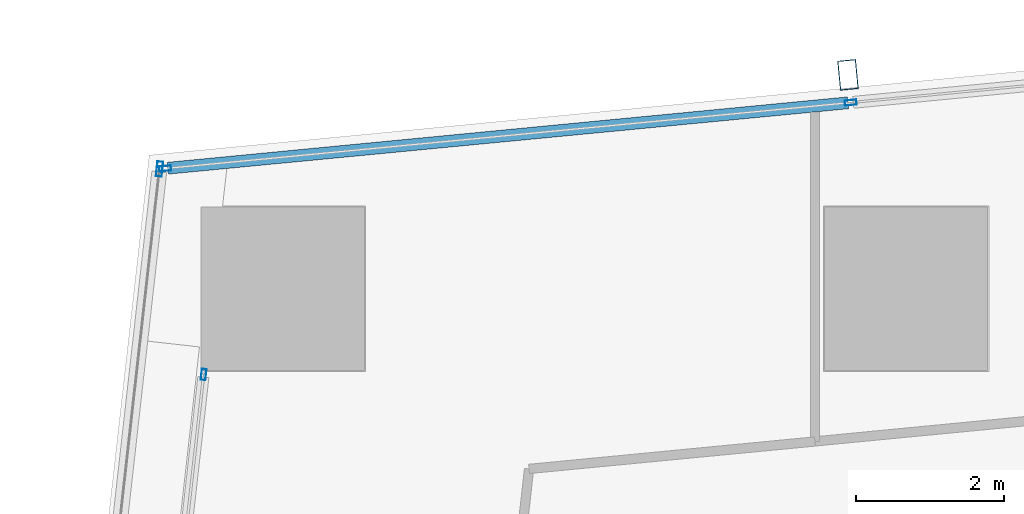
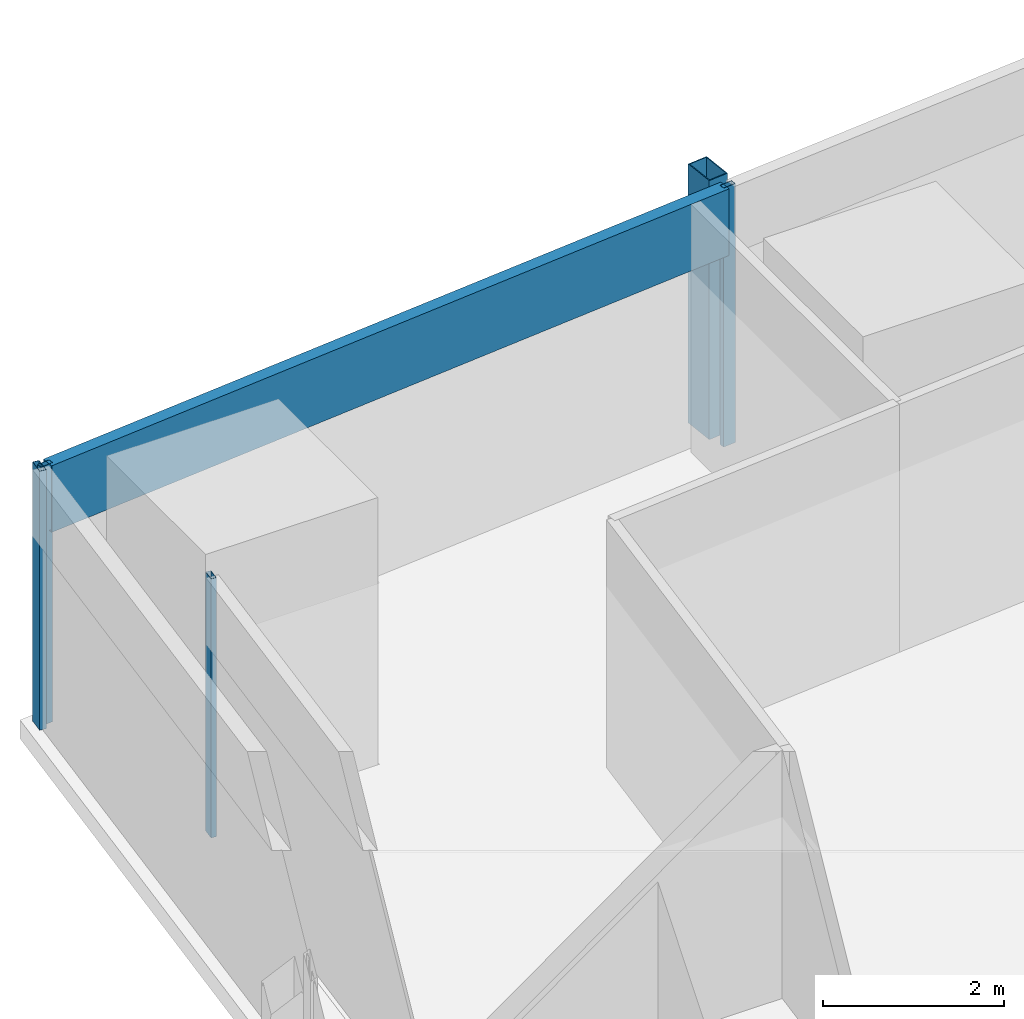
# One storey, part 16 of 45: 6 members, 3 elements without a shape of their own.
"""IFC4 building model written with IfcOpenShell, lengths in metres."""

from ifc_helpers import new_model, si_unit, direction, frame, origin, origin_2d, place, context, subcontext, project, spatial, hollow_rectangle, extrude, material, material_profile, profile_set, type_object, element, aggregate, save


model = new_model("IFC4")

# Units and contexts
model_context = context("Model", 3, precision=1e-05, world=origin(), true_north=direction((0.0, 1.0)))
body_context = subcontext(model_context, "Body", "Model", "MODEL_VIEW")
ifc_project = project(units=[si_unit("LENGTHUNIT", "METRE"), si_unit("AREAUNIT", "SQUARE_METRE"), si_unit("VOLUMEUNIT", "CUBIC_METRE"), si_unit("PLANEANGLEUNIT", "RADIAN"), si_unit("MASSUNIT", "GRAM", prefix="KILO")], contexts=[model_context])

# Site, building, storey
site_placement = place(None, origin())
site = spatial("IfcSite", under=ifc_project, at=site_placement, CompositionType="ELEMENT")
building_placement = place(site_placement, origin())
building = spatial("IfcBuilding", under=site, at=building_placement, Name="Rekha Terrace Tower", CompositionType="ELEMENT")
storey_placement = place(building_placement, frame((0.0, 0.0, 36.64990234375)))
storey = spatial("IfcBuildingStorey", under=building, at=storey_placement, Name="L08", CompositionType="ELEMENT", Elevation=36.64990234375)

# Curtain wall, member
ifc_material_1 = material(Name="Aluminium framing", Category="aluminium")
curtain_wall_type_1 = type_object("IfcCurtainWallType", Name="CW3 north unitised glazing", PredefinedType="USERDEFINED", material=ifc_material_1)
curtain_wall_1_placement = place(storey_placement, origin())
curtain_wall_1 = element("IfcCurtainWall", 1, at=curtain_wall_1_placement, inside=storey, type_object=curtain_wall_type_1, Name="CW3 unitised curtain wall", ObjectType="UNITISED CURTAIN WALL", PredefinedType="USERDEFINED")
ifc_material_2 = material(Name="Steel S355 with fluorocarbon finish", Category="steel")
ifc_material_profile_1 = material_profile(ifc_material_2, hollow_rectangle(XDim=0.25, YDim=0.39990234375, WallThickness=0.012451171875, at=origin_2d()), Name="RHS400x250x12.5")
ifc_profile_set_1 = profile_set([ifc_material_profile_1], Name="Steel S355 with fluorocarbon finish")
member_type_1 = type_object("IfcMemberType", Name="BL1 facade blade RHS 400 x 250", PredefinedType="USERDEFINED", material=ifc_profile_set_1)
member_1_placement = place(storey_placement, frame((16.01708984375, 61.681396484375, 0.0), z_axis=(0.0, 0.0, 1.0), x_axis=(-0.995409070123, -0.095711980009, 0.0)))
member_1 = element("IfcMember", 2, at=member_1_placement, type_object=member_type_1, Name="Facade blade", ObjectType="FACADE BLADE", PredefinedType="USERDEFINED", context=body_context, shape_type="SweptSolid", body=[
    extrude(hollow_rectangle(XDim=0.25, YDim=0.39990234375, WallThickness=0.012451171875, at=origin_2d()), origin(), (0.0, 0.0, 1.0), 3.5),
])

curtain_wall_type_2 = type_object("IfcCurtainWallType", Name="CW1 double skin inner glazing", PredefinedType="USERDEFINED", material=ifc_material_1)
curtain_wall_2_placement = place(storey_placement, origin())
curtain_wall_2 = element("IfcCurtainWall", 3, at=curtain_wall_2_placement, inside=storey, type_object=curtain_wall_type_2, Name="CW1 double skin inner glazing", ObjectType="DOUBLE SKIN INNER GLAZING", PredefinedType="USERDEFINED")
ifc_material_3 = material(Name="Aluminium mullion section", Category="aluminium")
ifc_material_profile_2 = material_profile(ifc_material_3, hollow_rectangle(XDim=0.06494140625, YDim=0.14990234375, WallThickness=0.00390625, at=origin_2d()), Name="AL RHS 65x150")
ifc_profile_set_2 = profile_set([ifc_material_profile_2], Name="Aluminium mullion section")
member_type_2 = type_object("IfcMemberType", Name="CW1 mullion RHS 65 x 150", PredefinedType="MULLION", material=ifc_profile_set_2)
member_2_placement = place(storey_placement, frame((7.334228515625, 57.643310546875, 0.0), z_axis=(0.0, 0.0, 1.0), x_axis=(0.993738615524, -0.111729870748, 0.0)))
member_2 = element("IfcMember", 4, at=member_2_placement, type_object=member_type_2, Name="CW1 mullion 1", PredefinedType="MULLION", context=body_context, shape_type="SweptSolid", body=[
    extrude(hollow_rectangle(XDim=0.06494140625, YDim=0.14990234375, WallThickness=0.00390625, at=origin_2d()), origin(), (0.0, 0.0, 1.0), 3.5),
])
aggregate(curtain_wall_2, [member_2])

curtain_wall_type_3 = type_object("IfcCurtainWallType", Name="CW2 double skin outer glazing", PredefinedType="USERDEFINED", material=ifc_material_1)
curtain_wall_3_placement = place(storey_placement, origin())
curtain_wall_3 = element("IfcCurtainWall", 5, at=curtain_wall_3_placement, inside=storey, type_object=curtain_wall_type_3, Name="CW2 double skin outer glazing", ObjectType="DOUBLE SKIN OUTER GLAZING", PredefinedType="USERDEFINED")
ifc_material_profile_3 = material_profile(ifc_material_3, hollow_rectangle(XDim=0.080078125, YDim=0.199951171875, WallThickness=0.00390625, at=origin_2d()), Name="AL RHS 80x200")
ifc_profile_set_3 = profile_set([ifc_material_profile_3], Name="Aluminium mullion section")
member_type_3 = type_object("IfcMemberType", Name="CW2 mullion RHS 80 x 200", PredefinedType="MULLION", material=ifc_profile_set_3)
member_3_placement = place(storey_placement, frame((6.739990234375, 60.413330078125, 0.0), z_axis=(0.0, 0.0, 1.0), x_axis=(0.99373861552, -0.111729870782, 0.0)))
member_3 = element("IfcMember", 6, at=member_3_placement, type_object=member_type_3, Name="CW2 mullion 1", PredefinedType="MULLION", context=body_context, shape_type="SweptSolid", body=[
    extrude(hollow_rectangle(XDim=0.080078125, YDim=0.199951171875, WallThickness=0.00390625, at=origin_2d()), origin(), (0.0, 0.0, 1.0), 3.5),
])
aggregate(curtain_wall_3, [member_3])

# Member
ifc_material_profile_4 = material_profile(ifc_material_3, hollow_rectangle(XDim=0.070068359375, YDim=0.159912109375, WallThickness=0.00390625, at=origin_2d()), Name="AL RHS 70x160")
ifc_profile_set_4 = profile_set([ifc_material_profile_4], Name="Aluminium mullion section")
member_type_4 = type_object("IfcMemberType", Name="CW3 mullion RHS 70 x 160", PredefinedType="MULLION", material=ifc_profile_set_4)
member_4_placement = place(storey_placement, frame((16.052978515625, 61.30810546875, 0.0), z_axis=(0.0, 0.0, 1.0), x_axis=(0.095712406625, -0.995409029102, 0.0)))
member_4 = element("IfcMember", 7, at=member_4_placement, type_object=member_type_4, Name="CW3 mullion 2", PredefinedType="MULLION", context=body_context, shape_type="SweptSolid", body=[
    extrude(hollow_rectangle(XDim=0.070068359375, YDim=0.159912109375, WallThickness=0.00390625, at=origin_2d()), origin(), (0.0, 0.0, 1.0), 3.5),
])

member_5_placement = place(storey_placement, frame((6.8154296875, 60.419677734375, 0.0), z_axis=(0.0, 0.0, 1.0), x_axis=(0.095712406625, -0.995409029102, 0.0)))
member_5 = element("IfcMember", 8, at=member_5_placement, type_object=member_type_4, Name="CW3 mullion 3", PredefinedType="MULLION", context=body_context, shape_type="SweptSolid", body=[
    extrude(hollow_rectangle(XDim=0.070068359375, YDim=0.159912109375, WallThickness=0.00390625, at=origin_2d()), origin(), (0.0, 0.0, 1.0), 3.5),
])

ifc_material_4 = material(Name="Insulated aluminium spandrel box", Category="aluminium")
ifc_material_profile_5 = material_profile(ifc_material_4, hollow_rectangle(XDim=0.159912109375, YDim=0.89990234375, WallThickness=0.0029296875, at=origin_2d()), Name="AL SPANDREL BOX 160x900")
ifc_profile_set_5 = profile_set([ifc_material_profile_5], Name="Insulated aluminium spandrel box")
member_type_5 = type_object("IfcMemberType", Name="CW3 spandrel transom 160 x 900", PredefinedType="USERDEFINED", material=ifc_profile_set_5)
member_6_placement = place(storey_placement, frame((16.018310546875, 61.3046875, 3.050048828125), z_axis=(-0.995408446287, -0.095718467713, 0.0), x_axis=(0.095718467713, -0.995408446287, 0.0)))
member_6 = element("IfcMember", 9, at=member_6_placement, type_object=member_type_5, Name="CW3 spandrel transom 2", ObjectType="TRANSOM", PredefinedType="USERDEFINED", context=body_context, shape_type="SweptSolid", body=[
    extrude(hollow_rectangle(XDim=0.159912109375, YDim=0.89990234375, WallThickness=0.0029296875, at=origin_2d()), origin(), (0.0, 0.0, 1.0), 9.210205078125),
])

aggregate(curtain_wall_1, [member_4, member_5, member_6, member_1])

save(model, "model.ifc")
